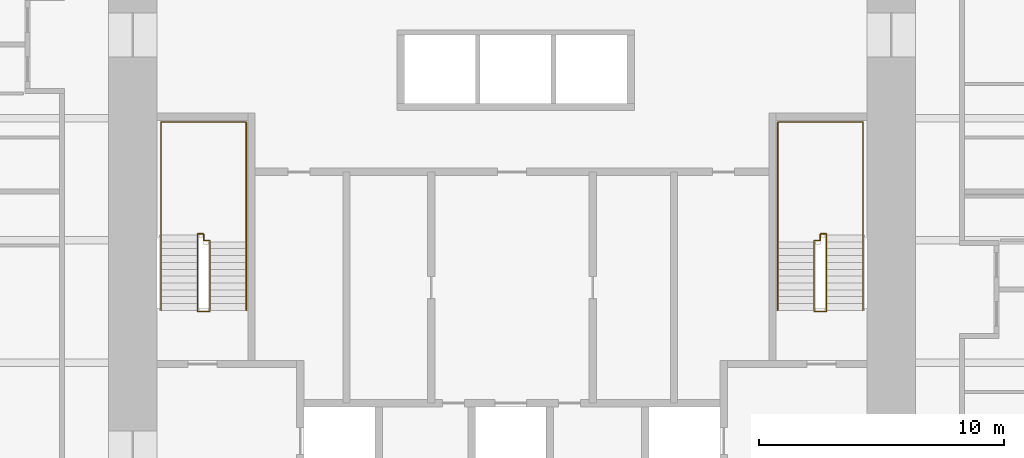
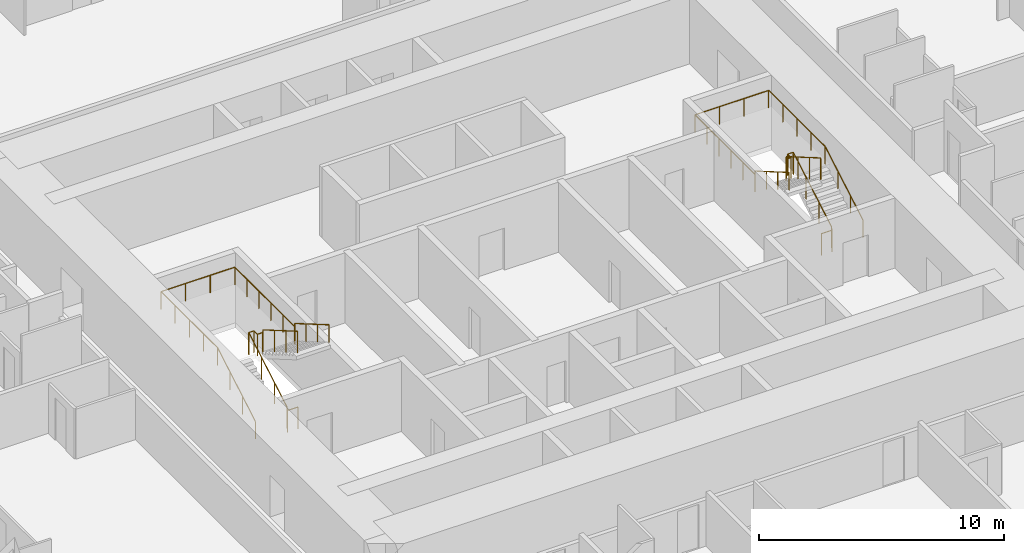
# One storey, part 16 of 16: 4 railings.
"""IFC4 building model written with IfcOpenShell, lengths in metres."""

import ifcopenshell
import ifcopenshell.guid

model = None  # the IFC model being written
_history = None  # IfcOwnerHistory: only IFC2X3 demands one
_inside = {}  # id of a spatial element -> (the spatial element, [elements in it])
_under = {}  # id of a project, library or spatial element -> (it, [spatial elements below it])
_declared = {}  # id of a project -> (the project, [libraries it declares])
_typed = {}  # id of a type object -> (the type object, [elements of that type])
_made_of = {}  # id of a material, layer set ... -> (it, [elements and type objects made of it])


def new_model(schema):
    """Start an empty IFC model of exactly this schema.

    Asked for "IFC4X3", IfcOpenShell would pick the latest addendum, in which some entities
    have other attributes; the version numbers below select the first issue.
    IFC2X3 requires an IfcOwnerHistory on every rooted entity: one is made here for all.
    """
    global model, _history
    if schema == "IFC4X3":
        model = ifcopenshell.file(schema_version=(4, 3, 0, 0))
    else:
        model = ifcopenshell.file(schema=schema)
    _inside.clear()
    _under.clear()
    _declared.clear()
    _typed.clear()
    _made_of.clear()
    _history = None
    if model.schema == "IFC2X3":
        org = make("IfcOrganization", Name="unknown")
        user = make(
            "IfcPersonAndOrganization",
            ThePerson=make("IfcPerson", FamilyName="unknown"),
            TheOrganization=org,
        )
        app = make(
            "IfcApplication",
            ApplicationDeveloper=org,
            Version="unknown",
            ApplicationFullName="unknown",
            ApplicationIdentifier="unknown",
        )
        _history = make(
            "IfcOwnerHistory",
            OwningUser=user,
            OwningApplication=app,
            ChangeAction="ADDED",
            CreationDate=0,
        )
    return model


def make(cls, **values):
    """One entity of the class cls with the attributes given. An attribute that is None is left unset."""
    return model.create_entity(
        cls, **{name: value for name, value in values.items() if value is not None}
    )


def rooted(cls, **values):
    """An entity with a GlobalId (a new one), such as an element, a storey or a relation."""
    return make(cls, GlobalId=ifcopenshell.guid.new(), OwnerHistory=_history, **values)


def si_unit(unit_type, name, prefix=None):
    """IfcSIUnit, for example si_unit("LENGTHUNIT", "METRE", prefix="MILLI")."""
    return make("IfcSIUnit", UnitType=unit_type, Prefix=prefix, Name=name)


def assignment(units):
    """IfcUnitAssignment: the units of a project."""
    return None if units is None else make("IfcUnitAssignment", Units=units)


def point(xyz):
    """IfcCartesianPoint."""
    return None if xyz is None else make("IfcCartesianPoint", Coordinates=xyz)


def direction(xyz):
    """IfcDirection."""
    return None if xyz is None else make("IfcDirection", DirectionRatios=xyz)


def frame(location, z_axis=None, x_axis=None):
    """IfcAxis2Placement3D, a coordinate frame: its origin and axes. An axis left out is left unset."""
    return make(
        "IfcAxis2Placement3D",
        Location=point(location),
        Axis=direction(z_axis),
        RefDirection=direction(x_axis),
    )


def frame_2d(location, x_axis=None):
    """IfcAxis2Placement2D, a coordinate frame in the plane: its origin and x axis."""
    return make(
        "IfcAxis2Placement2D", Location=point(location), RefDirection=direction(x_axis)
    )


def origin():
    """The frame at (0, 0, 0) with its axes left unset."""
    return frame((0.0, 0.0, 0.0))


def origin_2d():
    """The frame at (0, 0) in the plane with its x axis left unset."""
    return frame_2d((0.0, 0.0))


def place(relative_to, where):
    """IfcLocalPlacement: puts the frame where relative to a parent placement (None: the world)."""
    return make(
        "IfcLocalPlacement", PlacementRelTo=relative_to, RelativePlacement=where
    )


def context(
    kind, dimensions, precision=None, world=None, true_north=None, identifier=None
):
    """IfcGeometricRepresentationContext, for example the 3D "Model" context."""
    return make(
        "IfcGeometricRepresentationContext",
        ContextIdentifier=identifier,
        ContextType=kind,
        CoordinateSpaceDimension=dimensions,
        Precision=precision,
        WorldCoordinateSystem=world,
        TrueNorth=true_north,
    )


def subcontext(parent, identifier, kind, view, scale=None):
    """IfcGeometricRepresentationSubContext, for example "Body" below "Model"."""
    return make(
        "IfcGeometricRepresentationSubContext",
        ContextIdentifier=identifier,
        ContextType=kind,
        ParentContext=parent,
        TargetScale=scale,
        TargetView=view,
    )


def project(units=None, contexts=None):
    """IfcProject with its units and contexts."""
    return rooted(
        "IfcProject",
        Name="project",
        RepresentationContexts=contexts,
        UnitsInContext=assignment(units),
    )


def spatial(cls, under=None, at=None, **own):
    """A site, building, storey or space (cls), placed at a placement, below another one or the project."""
    s = rooted(cls, ObjectPlacement=at, **own)
    if under is not None:
        _under.setdefault(under.id(), (under, []))[1].append(s)
    return s


def profile(cls, at=None, kind="AREA", **sizes):
    """A parametric profile (cls). Its sizes go by their IFC names, for example OverallWidth=200.0."""
    return make(cls, ProfileType=kind, Position=at, **sizes)


def circle(**sizes):
    """IfcCircleProfileDef."""
    return profile("IfcCircleProfileDef", **sizes)


def extrude(swept, where, along, depth):
    """IfcExtrudedAreaSolid: the profile swept, set in the frame where, extruded along a direction by depth."""
    return make(
        "IfcExtrudedAreaSolid",
        SweptArea=swept,
        Position=where,
        ExtrudedDirection=direction(along),
        Depth=depth,
    )


def shape(context_of_items, identifier, shape_type, items):
    """IfcShapeRepresentation: the items that make up one representation, for example the "Body"."""
    return make(
        "IfcShapeRepresentation",
        ContextOfItems=context_of_items,
        RepresentationIdentifier=identifier,
        RepresentationType=shape_type,
        Items=items,
    )


def material(Name=None, Category=None):
    """IfcMaterial."""
    return make("IfcMaterial", Name=Name, Category=Category)


def made_of(thing, what):
    """Note that an element or type object is made of a material, layer set ...; save() writes the relation."""
    if what is not None:
        _made_of.setdefault(what.id(), (what, []))[1].append(thing)
    return thing


def type_object(cls, material=None, **own):
    """A type object (cls), such as IfcWallType, which elements share."""
    return made_of(rooted(cls, **own), material)


def element(
    cls,
    number,
    at=None,
    inside=None,
    cuts=None,
    type_object=None,
    material=None,
    context=None,
    identifier="Body",
    shape_type=None,
    held_by="IfcProductDefinitionShape",
    body=None,
    shapes=None,
    **own,
):
    """One element of the class cls, such as IfcWall. Its Tag is "e" and its number.

    at: its placement. inside: the storey or other place that contains it. cuts: it is an
    opening in that element (IfcRelVoidsElement). A single representation is given by context,
    identifier, shape_type and body (its items); several are given by shapes. held_by: the class
    of the entity that holds the representations. save() writes the other relations.
    """
    e = rooted(cls, Tag="e%d" % number, ObjectPlacement=at, **own)
    if body is not None:
        shapes = [shape(context, identifier, shape_type, body)]
    if shapes is not None:
        e.Representation = make(held_by, Representations=shapes)
    if inside is not None:
        _inside.setdefault(inside.id(), (inside, []))[1].append(e)
    if cuts is not None:
        rooted(
            "IfcRelVoidsElement", RelatingBuildingElement=cuts, RelatedOpeningElement=e
        )
    if type_object is not None:
        _typed.setdefault(type_object.id(), (type_object, []))[1].append(e)
    return made_of(e, material)


def aggregate(whole, parts):
    """IfcRelAggregates: a whole, such as a stair, and the parts it consists of."""
    return rooted("IfcRelAggregates", RelatingObject=whole, RelatedObjects=parts)


def save(model, path):
    """Write the relations noted so far, then the file.

    IfcRelAggregates (storeys below a building ...), IfcRelContainedInSpatialStructure (elements
    in a storey), IfcRelDefinesByType, IfcRelAssociatesMaterial and IfcRelDeclares: one each for
    every whole, place, type object, material and project.
    """
    for whole, parts in _under.values():
        aggregate(whole, parts)
    for where, things in _inside.values():
        rooted(
            "IfcRelContainedInSpatialStructure",
            RelatedElements=things,
            RelatingStructure=where,
        )
    for kind, things in _typed.values():
        rooted("IfcRelDefinesByType", RelatedObjects=things, RelatingType=kind)
    for what, things in _made_of.values():
        rooted("IfcRelAssociatesMaterial", RelatedObjects=things, RelatingMaterial=what)
    for by, libraries in _declared.values():
        rooted("IfcRelDeclares", RelatingContext=by, RelatedDefinitions=libraries)
    model.write(path)


model = new_model("IFC4")

# Units and contexts
model_context = context("Model", 3, precision=1e-05, world=origin(), true_north=direction((0.0, 1.0)))
body_context = subcontext(model_context, "Body", "Model", "MODEL_VIEW")
ifc_project = project(units=[si_unit("LENGTHUNIT", "METRE"), si_unit("AREAUNIT", "SQUARE_METRE"), si_unit("VOLUMEUNIT", "CUBIC_METRE"), si_unit("PLANEANGLEUNIT", "RADIAN"), si_unit("MASSUNIT", "GRAM", prefix="KILO")], contexts=[model_context])

# Site, building, storey
site_placement = place(None, origin())
site = spatial("IfcSite", under=ifc_project, at=site_placement, CompositionType="ELEMENT")
building_placement = place(site_placement, origin())
building = spatial("IfcBuilding", under=site, at=building_placement, Name="Khuree Lantern Residences", CompositionType="ELEMENT")
storey_placement = place(building_placement, frame((0.0, 0.0, 62.25)))
storey = spatial("IfcBuildingStorey", under=building, at=storey_placement, Name="L15", CompositionType="ELEMENT", Elevation=62.25)

# Railings
ifc_material = material(Name="Steel S355", Category="steel")
railing_type_1 = type_object("IfcRailingType", Name="STAIR GUARD G1 1100", PredefinedType="GUARDRAIL", material=ifc_material)
railing_1_placement = place(storey_placement, frame((-12.35009765625, -2.909912109375, 0.0)))
element("IfcRailing", 1, at=railing_1_placement, inside=storey, type_object=railing_type_1, Name="Stair ST1 guard", PredefinedType="GUARDRAIL", context=body_context, shape_type="SweptSolid", body=[
    extrude(circle(Radius=0.02392578125, at=origin_2d()), frame((0.0, 0.0, 1.076171875), z_axis=(-1.0, 0.0, 0.0), x_axis=(0.0, -1.0, 0.0)), (0.0, 0.0, 1.0), 0.5),
    extrude(circle(Radius=0.02392578125, at=origin_2d()), frame((-0.5, 0.0, 1.076171875), z_axis=(0.0, 0.292073035251, 0.95639601739), x_axis=(-1.0, 0.0, 0.0)), (0.0, 0.0, 1.0), 0.17041015625),
    extrude(circle(Radius=0.02392578125, at=origin_2d()), frame((-0.5, 0.0498046875, 1.2392578125), z_axis=(0.0, 0.864176135923, 0.503189433615), x_axis=(-1.0, 0.0, 0.0)), (0.0, 0.0, 1.0), 3.564208984375),
    extrude(circle(Radius=0.02392578125, at=origin_2d()), frame((-0.5, 3.1298828125, 3.03271484375), z_axis=(0.0, 1.0, 0.0), x_axis=(-1.0, 0.0, 0.0)), (0.0, 0.0, 1.0), 0.050048828125),
    extrude(circle(Radius=0.02392578125, at=origin_2d()), frame((-0.5, 3.179931640625, 3.03271484375), z_axis=(1.0, 0.0, 0.0), x_axis=(0.0, 1.0, 0.0)), (0.0, 0.0, 1.0), 0.25),
    extrude(circle(Radius=0.02392578125, at=origin_2d()), frame((-0.25, 3.179931640625, 3.03271484375), z_axis=(0.0, -1.0, 0.0), x_axis=(1.0, 0.0, 0.0)), (0.0, 0.0, 1.0), 0.280029296875),
    extrude(circle(Radius=0.02392578125, at=origin_2d()), frame((-0.25, 2.89990234375, 3.03271484375), z_axis=(1.0, 0.0, 0.0), x_axis=(0.0, 1.0, 0.0)), (0.0, 0.0, 1.0), 0.25),
    extrude(circle(Radius=0.02392578125, at=origin_2d()), frame((0.0, 2.89990234375, 3.03271484375), z_axis=(0.0, -0.293381807449, 0.955995353053), x_axis=(1.0, 0.0, 0.0)), (0.0, 0.0, 1.0), 0.170654296875),
    extrude(circle(Radius=0.02392578125, at=origin_2d()), frame((0.0, 2.849853515625, 3.19580078125), z_axis=(0.0, -0.864180358799, 0.503182181189), x_axis=(1.0, 0.0, 0.0)), (0.0, 0.0, 1.0), 3.240234375),
    extrude(circle(Radius=0.02099609375, at=origin_2d()), origin(), (0.0, 0.0, 1.0), 1.052001953125),
    extrude(circle(Radius=0.02099609375, at=origin_2d()), frame((-0.5, 0.0, 0.0)), (0.0, 0.0, 1.0), 1.052001953125),
    extrude(circle(Radius=0.02099609375, at=origin_2d()), frame((-0.5, 0.0498046875, 0.1630859375)), (0.0, 0.0, 1.0), 1.052001953125),
    extrude(circle(Radius=0.02099609375, at=origin_2d()), frame((-0.5, 1.076416015625, 0.760986328125)), (0.0, 0.0, 1.0), 1.052001953125),
    extrude(circle(Radius=0.02099609375, at=origin_2d()), frame((-0.5, 2.103271484375, 1.358642578125)), (0.0, 0.0, 1.0), 1.052001953125),
    extrude(circle(Radius=0.02099609375, at=origin_2d()), frame((-0.5, 3.1298828125, 1.95654296875)), (0.0, 0.0, 1.0), 1.052001953125),
    extrude(circle(Radius=0.02099609375, at=origin_2d()), frame((-0.5, 3.179931640625, 1.95654296875)), (0.0, 0.0, 1.0), 1.052001953125),
    extrude(circle(Radius=0.02099609375, at=origin_2d()), frame((-0.25, 3.179931640625, 1.95654296875)), (0.0, 0.0, 1.0), 1.052001953125),
    extrude(circle(Radius=0.02099609375, at=origin_2d()), frame((-0.25, 2.89990234375, 1.95654296875)), (0.0, 0.0, 1.0), 1.052001953125),
    extrude(circle(Radius=0.02099609375, at=origin_2d()), frame((0.0, 2.89990234375, 1.95654296875)), (0.0, 0.0, 1.0), 1.052001953125),
    extrude(circle(Radius=0.02099609375, at=origin_2d()), frame((0.0, 2.849853515625, 2.11962890625)), (0.0, 0.0, 1.0), 1.052001953125),
    extrude(circle(Radius=0.02099609375, at=origin_2d()), frame((0.0, 1.91650390625, 2.6630859375)), (0.0, 0.0, 1.0), 1.052001953125),
    extrude(circle(Radius=0.02099609375, at=origin_2d()), frame((0.0, 0.983154296875, 3.20654296875)), (0.0, 0.0, 1.0), 1.052001953125),
    extrude(circle(Radius=0.02099609375, at=origin_2d()), frame((0.0, 0.0498046875, 3.75)), (0.0, 0.0, 1.0), 1.052001953125),
])
railing_2_placement = place(storey_placement, frame((12.35009765625, -2.909912109375, 0.0)))
element("IfcRailing", 2, at=railing_2_placement, inside=storey, type_object=railing_type_1, Name="Stair ST2 guard", PredefinedType="GUARDRAIL", context=body_context, shape_type="SweptSolid", body=[
    extrude(circle(Radius=0.02392578125, at=origin_2d()), frame((0.0, 0.0, 1.076171875), z_axis=(1.0, 0.0, 0.0), x_axis=(0.0, 1.0, 0.0)), (0.0, 0.0, 1.0), 0.5),
    extrude(circle(Radius=0.02392578125, at=origin_2d()), frame((0.5, 0.0, 1.076171875), z_axis=(0.0, 0.292073035251, 0.95639601739), x_axis=(-1.0, 0.0, 0.0)), (0.0, 0.0, 1.0), 0.17041015625),
    extrude(circle(Radius=0.02392578125, at=origin_2d()), frame((0.5, 0.0498046875, 1.2392578125), z_axis=(0.0, 0.864176135923, 0.503189433615), x_axis=(-1.0, 0.0, 0.0)), (0.0, 0.0, 1.0), 3.564208984375),
    extrude(circle(Radius=0.02392578125, at=origin_2d()), frame((0.5, 3.1298828125, 3.03271484375), z_axis=(0.0, 1.0, 0.0), x_axis=(-1.0, 0.0, 0.0)), (0.0, 0.0, 1.0), 0.050048828125),
    extrude(circle(Radius=0.02392578125, at=origin_2d()), frame((0.5, 3.179931640625, 3.03271484375), z_axis=(-1.0, 0.0, 0.0), x_axis=(0.0, -1.0, 0.0)), (0.0, 0.0, 1.0), 0.25),
    extrude(circle(Radius=0.02392578125, at=origin_2d()), frame((0.25, 3.179931640625, 3.03271484375), z_axis=(0.0, -1.0, 0.0), x_axis=(1.0, 0.0, 0.0)), (0.0, 0.0, 1.0), 0.280029296875),
    extrude(circle(Radius=0.02392578125, at=origin_2d()), frame((0.25, 2.89990234375, 3.03271484375), z_axis=(-1.0, 0.0, 0.0), x_axis=(0.0, -1.0, 0.0)), (0.0, 0.0, 1.0), 0.25),
    extrude(circle(Radius=0.02392578125, at=origin_2d()), frame((0.0, 2.89990234375, 3.03271484375), z_axis=(0.0, -0.293381807449, 0.955995353053), x_axis=(1.0, 0.0, 0.0)), (0.0, 0.0, 1.0), 0.170654296875),
    extrude(circle(Radius=0.02392578125, at=origin_2d()), frame((0.0, 2.849853515625, 3.19580078125), z_axis=(0.0, -0.864180358799, 0.503182181189), x_axis=(1.0, 0.0, 0.0)), (0.0, 0.0, 1.0), 3.240234375),
    extrude(circle(Radius=0.02099609375, at=origin_2d()), origin(), (0.0, 0.0, 1.0), 1.052001953125),
    extrude(circle(Radius=0.02099609375, at=origin_2d()), frame((0.5, 0.0, 0.0)), (0.0, 0.0, 1.0), 1.052001953125),
    extrude(circle(Radius=0.02099609375, at=origin_2d()), frame((0.5, 0.0498046875, 0.1630859375)), (0.0, 0.0, 1.0), 1.052001953125),
    extrude(circle(Radius=0.02099609375, at=origin_2d()), frame((0.5, 1.076416015625, 0.760986328125)), (0.0, 0.0, 1.0), 1.052001953125),
    extrude(circle(Radius=0.02099609375, at=origin_2d()), frame((0.5, 2.103271484375, 1.358642578125)), (0.0, 0.0, 1.0), 1.052001953125),
    extrude(circle(Radius=0.02099609375, at=origin_2d()), frame((0.5, 3.1298828125, 1.95654296875)), (0.0, 0.0, 1.0), 1.052001953125),
    extrude(circle(Radius=0.02099609375, at=origin_2d()), frame((0.5, 3.179931640625, 1.95654296875)), (0.0, 0.0, 1.0), 1.052001953125),
    extrude(circle(Radius=0.02099609375, at=origin_2d()), frame((0.25, 3.179931640625, 1.95654296875)), (0.0, 0.0, 1.0), 1.052001953125),
    extrude(circle(Radius=0.02099609375, at=origin_2d()), frame((0.25, 2.89990234375, 1.95654296875)), (0.0, 0.0, 1.0), 1.052001953125),
    extrude(circle(Radius=0.02099609375, at=origin_2d()), frame((0.0, 2.89990234375, 1.95654296875)), (0.0, 0.0, 1.0), 1.052001953125),
    extrude(circle(Radius=0.02099609375, at=origin_2d()), frame((0.0, 2.849853515625, 2.11962890625)), (0.0, 0.0, 1.0), 1.052001953125),
    extrude(circle(Radius=0.02099609375, at=origin_2d()), frame((0.0, 1.91650390625, 2.6630859375)), (0.0, 0.0, 1.0), 1.052001953125),
    extrude(circle(Radius=0.02099609375, at=origin_2d()), frame((0.0, 0.983154296875, 3.20654296875)), (0.0, 0.0, 1.0), 1.052001953125),
    extrude(circle(Radius=0.02099609375, at=origin_2d()), frame((0.0, 0.0498046875, 3.75)), (0.0, 0.0, 1.0), 1.052001953125),
])
railing_type_2 = type_object("IfcRailingType", Name="STAIR HANDRAIL H1 900", PredefinedType="HANDRAIL", material=ifc_material)
railing_3_placement = place(storey_placement, frame((-14.340087890625, -2.860107421875, 0.1630859375)))
element("IfcRailing", 3, at=railing_3_placement, inside=storey, type_object=railing_type_2, Name="Stair ST1 handrail", PredefinedType="HANDRAIL", context=body_context, shape_type="SweptSolid", body=[
    extrude(circle(Radius=0.02392578125, at=origin_2d()), frame((0.0, 0.0, 0.8759765625), z_axis=(0.0, 0.864176135923, 0.503189433615), x_axis=(-1.0, 0.0, 0.0)), (0.0, 0.0, 1.0), 3.564208984375),
    extrude(circle(Radius=0.02392578125, at=origin_2d()), frame((0.0, 3.080078125, 2.66943359375), z_axis=(0.0, 1.0, 0.0), x_axis=(-1.0, 0.0, 0.0)), (0.0, 0.0, 1.0), 4.6201171875),
    extrude(circle(Radius=0.02392578125, at=origin_2d()), frame((0.0, 7.7001953125, 2.66943359375), z_axis=(1.0, 0.0, 0.0), x_axis=(0.0, 1.0, 0.0)), (0.0, 0.0, 1.0), 3.47998046875),
    extrude(circle(Radius=0.02392578125, at=origin_2d()), frame((3.47998046875, 7.7001953125, 2.66943359375), z_axis=(0.0, -1.0, 0.0), x_axis=(1.0, 0.0, 0.0)), (0.0, 0.0, 1.0), 4.900146484375),
    extrude(circle(Radius=0.02392578125, at=origin_2d()), frame((3.47998046875, 2.800048828125, 2.66943359375), z_axis=(0.0, 0.0, 1.0), x_axis=(1.0, 0.0, 0.0)), (0.0, 0.0, 1.0), 0.1630859375),
    extrude(circle(Radius=0.02392578125, at=origin_2d()), frame((3.47998046875, 2.800048828125, 2.83251953125), z_axis=(0.0, -0.864180358799, 0.503182181189), x_axis=(1.0, 0.0, 0.0)), (0.0, 0.0, 1.0), 3.240234375),
    extrude(circle(Radius=0.02099609375, at=origin_2d()), origin(), (0.0, 0.0, 1.0), 0.851806640625),
    extrude(circle(Radius=0.02099609375, at=origin_2d()), frame((0.0, 1.026611328125, 0.597900390625)), (0.0, 0.0, 1.0), 0.851806640625),
    extrude(circle(Radius=0.02099609375, at=origin_2d()), frame((0.0, 2.053466796875, 1.195556640625)), (0.0, 0.0, 1.0), 0.851806640625),
    extrude(circle(Radius=0.02099609375, at=origin_2d()), frame((0.0, 3.080078125, 1.79345703125)), (0.0, 0.0, 1.0), 0.851806640625),
    extrude(circle(Radius=0.02099609375, at=origin_2d()), frame((0.0, 4.235107421875, 1.79345703125)), (0.0, 0.0, 1.0), 0.851806640625),
    extrude(circle(Radius=0.02099609375, at=origin_2d()), frame((0.0, 5.39013671875, 1.79345703125)), (0.0, 0.0, 1.0), 0.851806640625),
    extrude(circle(Radius=0.02099609375, at=origin_2d()), frame((0.0, 6.545166015625, 1.79345703125)), (0.0, 0.0, 1.0), 0.851806640625),
    extrude(circle(Radius=0.02099609375, at=origin_2d()), frame((0.0, 7.7001953125, 1.79345703125)), (0.0, 0.0, 1.0), 0.851806640625),
    extrude(circle(Radius=0.02099609375, at=origin_2d()), frame((1.159912109375, 7.7001953125, 1.79345703125)), (0.0, 0.0, 1.0), 0.851806640625),
    extrude(circle(Radius=0.02099609375, at=origin_2d()), frame((2.320068359375, 7.7001953125, 1.79345703125)), (0.0, 0.0, 1.0), 0.851806640625),
    extrude(circle(Radius=0.02099609375, at=origin_2d()), frame((3.47998046875, 7.7001953125, 1.79345703125)), (0.0, 0.0, 1.0), 0.851806640625),
    extrude(circle(Radius=0.02099609375, at=origin_2d()), frame((3.47998046875, 6.72021484375, 1.79345703125)), (0.0, 0.0, 1.0), 0.851806640625),
    extrude(circle(Radius=0.02099609375, at=origin_2d()), frame((3.47998046875, 5.740234375, 1.79345703125)), (0.0, 0.0, 1.0), 0.851806640625),
    extrude(circle(Radius=0.02099609375, at=origin_2d()), frame((3.47998046875, 4.760009765625, 1.79345703125)), (0.0, 0.0, 1.0), 0.851806640625),
    extrude(circle(Radius=0.02099609375, at=origin_2d()), frame((3.47998046875, 3.780029296875, 1.79345703125)), (0.0, 0.0, 1.0), 0.851806640625),
    extrude(circle(Radius=0.02099609375, at=origin_2d()), frame((3.47998046875, 2.800048828125, 1.79345703125)), (0.0, 0.0, 1.0), 0.851806640625),
    extrude(circle(Radius=0.02099609375, at=origin_2d()), frame((3.47998046875, 2.800048828125, 1.95654296875)), (0.0, 0.0, 1.0), 0.851806640625),
    extrude(circle(Radius=0.02099609375, at=origin_2d()), frame((3.47998046875, 1.86669921875, 2.5)), (0.0, 0.0, 1.0), 0.851806640625),
    extrude(circle(Radius=0.02099609375, at=origin_2d()), frame((3.47998046875, 0.933349609375, 3.04345703125)), (0.0, 0.0, 1.0), 0.851806640625),
    extrude(circle(Radius=0.02099609375, at=origin_2d()), frame((3.47998046875, 0.0, 3.5869140625)), (0.0, 0.0, 1.0), 0.851806640625),
])
railing_4_placement = place(storey_placement, frame((14.340087890625, -2.860107421875, 0.1630859375)))
element("IfcRailing", 4, at=railing_4_placement, inside=storey, type_object=railing_type_2, Name="Stair ST2 handrail", PredefinedType="HANDRAIL", context=body_context, shape_type="SweptSolid", body=[
    extrude(circle(Radius=0.02392578125, at=origin_2d()), frame((0.0, 0.0, 0.8759765625), z_axis=(0.0, 0.864176135923, 0.503189433615), x_axis=(-1.0, 0.0, 0.0)), (0.0, 0.0, 1.0), 3.564208984375),
    extrude(circle(Radius=0.02392578125, at=origin_2d()), frame((0.0, 3.080078125, 2.66943359375), z_axis=(0.0, 1.0, 0.0), x_axis=(-1.0, 0.0, 0.0)), (0.0, 0.0, 1.0), 4.6201171875),
    extrude(circle(Radius=0.02392578125, at=origin_2d()), frame((0.0, 7.7001953125, 2.66943359375), z_axis=(-1.0, 0.0, 0.0), x_axis=(0.0, -1.0, 0.0)), (0.0, 0.0, 1.0), 3.47998046875),
    extrude(circle(Radius=0.02392578125, at=origin_2d()), frame((-3.47998046875, 7.7001953125, 2.66943359375), z_axis=(0.0, -1.0, 0.0), x_axis=(1.0, 0.0, 0.0)), (0.0, 0.0, 1.0), 4.900146484375),
    extrude(circle(Radius=0.02392578125, at=origin_2d()), frame((-3.47998046875, 2.800048828125, 2.66943359375), z_axis=(0.0, 0.0, 1.0), x_axis=(1.0, 0.0, 0.0)), (0.0, 0.0, 1.0), 0.1630859375),
    extrude(circle(Radius=0.02392578125, at=origin_2d()), frame((-3.47998046875, 2.800048828125, 2.83251953125), z_axis=(0.0, -0.864180358799, 0.503182181189), x_axis=(1.0, 0.0, 0.0)), (0.0, 0.0, 1.0), 3.240234375),
    extrude(circle(Radius=0.02099609375, at=origin_2d()), origin(), (0.0, 0.0, 1.0), 0.851806640625),
    extrude(circle(Radius=0.02099609375, at=origin_2d()), frame((0.0, 1.026611328125, 0.597900390625)), (0.0, 0.0, 1.0), 0.851806640625),
    extrude(circle(Radius=0.02099609375, at=origin_2d()), frame((0.0, 2.053466796875, 1.195556640625)), (0.0, 0.0, 1.0), 0.851806640625),
    extrude(circle(Radius=0.02099609375, at=origin_2d()), frame((0.0, 3.080078125, 1.79345703125)), (0.0, 0.0, 1.0), 0.851806640625),
    extrude(circle(Radius=0.02099609375, at=origin_2d()), frame((0.0, 4.235107421875, 1.79345703125)), (0.0, 0.0, 1.0), 0.851806640625),
    extrude(circle(Radius=0.02099609375, at=origin_2d()), frame((0.0, 5.39013671875, 1.79345703125)), (0.0, 0.0, 1.0), 0.851806640625),
    extrude(circle(Radius=0.02099609375, at=origin_2d()), frame((0.0, 6.545166015625, 1.79345703125)), (0.0, 0.0, 1.0), 0.851806640625),
    extrude(circle(Radius=0.02099609375, at=origin_2d()), frame((0.0, 7.7001953125, 1.79345703125)), (0.0, 0.0, 1.0), 0.851806640625),
    extrude(circle(Radius=0.02099609375, at=origin_2d()), frame((-1.159912109375, 7.7001953125, 1.79345703125)), (0.0, 0.0, 1.0), 0.851806640625),
    extrude(circle(Radius=0.02099609375, at=origin_2d()), frame((-2.320068359375, 7.7001953125, 1.79345703125)), (0.0, 0.0, 1.0), 0.851806640625),
    extrude(circle(Radius=0.02099609375, at=origin_2d()), frame((-3.47998046875, 7.7001953125, 1.79345703125)), (0.0, 0.0, 1.0), 0.851806640625),
    extrude(circle(Radius=0.02099609375, at=origin_2d()), frame((-3.47998046875, 6.72021484375, 1.79345703125)), (0.0, 0.0, 1.0), 0.851806640625),
    extrude(circle(Radius=0.02099609375, at=origin_2d()), frame((-3.47998046875, 5.740234375, 1.79345703125)), (0.0, 0.0, 1.0), 0.851806640625),
    extrude(circle(Radius=0.02099609375, at=origin_2d()), frame((-3.47998046875, 4.760009765625, 1.79345703125)), (0.0, 0.0, 1.0), 0.851806640625),
    extrude(circle(Radius=0.02099609375, at=origin_2d()), frame((-3.47998046875, 3.780029296875, 1.79345703125)), (0.0, 0.0, 1.0), 0.851806640625),
    extrude(circle(Radius=0.02099609375, at=origin_2d()), frame((-3.47998046875, 2.800048828125, 1.79345703125)), (0.0, 0.0, 1.0), 0.851806640625),
    extrude(circle(Radius=0.02099609375, at=origin_2d()), frame((-3.47998046875, 2.800048828125, 1.95654296875)), (0.0, 0.0, 1.0), 0.851806640625),
    extrude(circle(Radius=0.02099609375, at=origin_2d()), frame((-3.47998046875, 1.86669921875, 2.5)), (0.0, 0.0, 1.0), 0.851806640625),
    extrude(circle(Radius=0.02099609375, at=origin_2d()), frame((-3.47998046875, 0.933349609375, 3.04345703125)), (0.0, 0.0, 1.0), 0.851806640625),
    extrude(circle(Radius=0.02099609375, at=origin_2d()), frame((-3.47998046875, 0.0, 3.5869140625)), (0.0, 0.0, 1.0), 0.851806640625),
])

save(model, "model.ifc")
